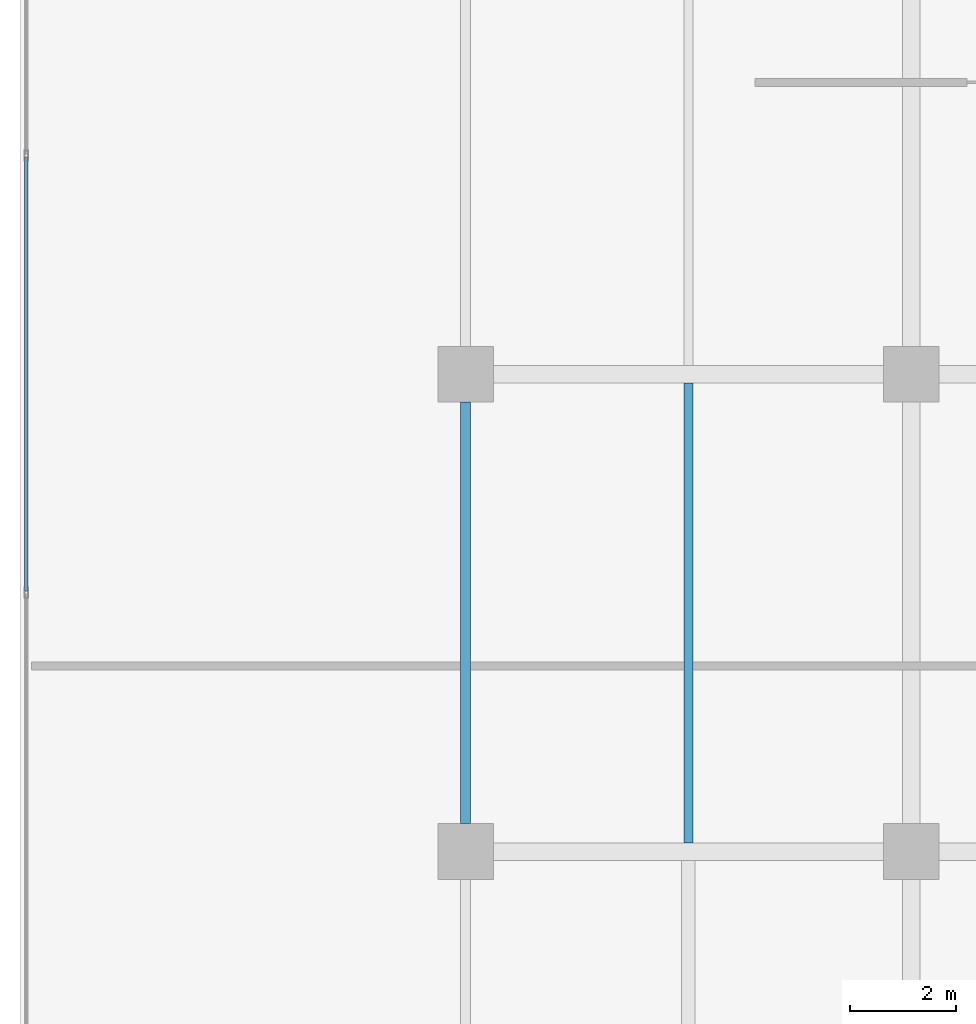
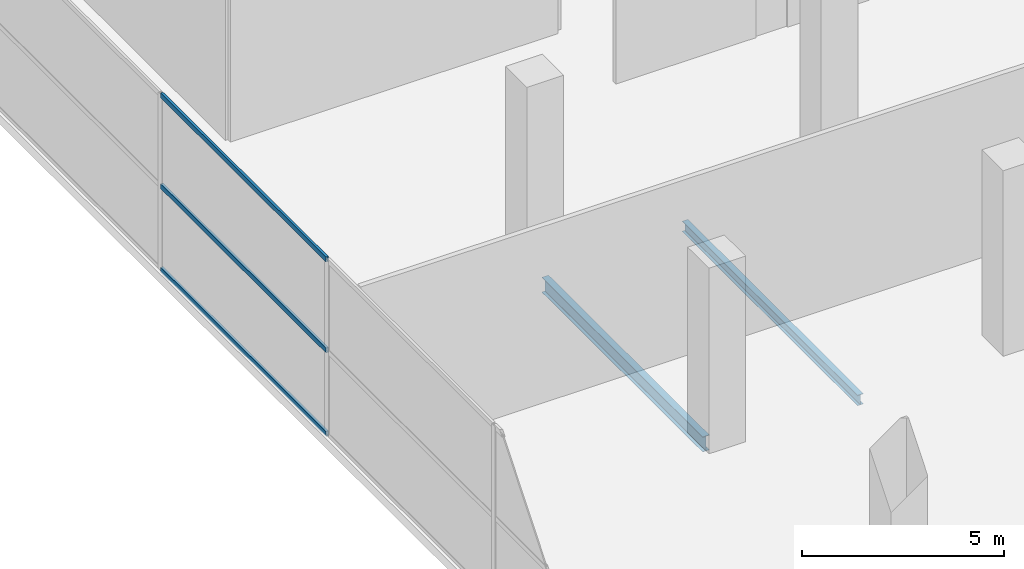
# One storey, part 10 of 40: 3 members, 2 beams, 1 element without a shape of its own.
"""IFC4 building model written with IfcOpenShell, lengths in metres."""

from ifc_helpers import new_model, si_unit, direction, frame, origin, origin_2d, place, context, subcontext, project, spatial, hollow_rectangle, i_section, extrude, material, layer, layer_set, material_profile, profile_set, type_object, element, aggregate, save


model = new_model("IFC4")

# Units and contexts
model_context = context("Model", 3, precision=1e-05, world=origin(), true_north=direction((0.0, 1.0)))
body_context = subcontext(model_context, "Body", "Model", "MODEL_VIEW")
ifc_project = project(units=[si_unit("LENGTHUNIT", "METRE"), si_unit("AREAUNIT", "SQUARE_METRE"), si_unit("VOLUMEUNIT", "CUBIC_METRE"), si_unit("PLANEANGLEUNIT", "RADIAN"), si_unit("MASSUNIT", "GRAM", prefix="KILO")], contexts=[model_context])

# Site, building, storey
site_placement = place(None, origin())
site = spatial("IfcSite", under=ifc_project, at=site_placement, CompositionType="ELEMENT")
building_placement = place(site_placement, origin())
building = spatial("IfcBuilding", under=site, at=building_placement, Name="Maruvema Waterfront Hotel and Observation Tower", CompositionType="ELEMENT")
storey_placement = place(building_placement, frame((0.0, 0.0, 10.85009765625)))
storey = spatial("IfcBuildingStorey", under=building, at=storey_placement, Name="L02", CompositionType="ELEMENT", Elevation=10.85009765625)

# Curtain wall, members
ifc_material_1 = material(Name="Anodised bronze aluminium and solar-control low-E IGU", Category="aluminium")
ifc_layer = layer(ifc_material_1, 0.159912109375, Name="Podium Waterfront Storefront Curtain Wall System CW-01")
ifc_layer_set = layer_set([ifc_layer], Name="Anodised bronze aluminium and solar-control low-E IGU")
curtain_wall_type = type_object("IfcCurtainWallType", Name="Podium Waterfront Storefront Curtain Wall System CW-01", PredefinedType="USERDEFINED", material=ifc_layer_set)
curtain_wall_placement = place(storey_placement, origin())
curtain_wall = element("IfcCurtainWall", 1, at=curtain_wall_placement, inside=storey, type_object=curtain_wall_type, Name="L02 Curtain Wall CW-L02-W", ObjectType="UNITISED CURTAIN WALL", PredefinedType="USERDEFINED")
ifc_material_2 = material(Name="Anodised architectural bronze aluminium", Category="aluminium")
ifc_material_profile_1 = material_profile(ifc_material_2, hollow_rectangle(XDim=0.070068359375, YDim=0.14990234375, WallThickness=0.00390625, at=origin_2d()), Name="ALU-T70x150")
ifc_profile_set_1 = profile_set([ifc_material_profile_1], Name="Anodised architectural bronze aluminium")
member_type = type_object("IfcMemberType", Name="Curtain Wall Horizontal Transom ALU-T70x150", PredefinedType="USERDEFINED", material=ifc_profile_set_1)
member_1_placement = place(storey_placement, frame((0.1201171875, 31.090087890625, 0.02978515625), z_axis=(0.0, -1.0, 0.0), x_axis=(1.0, 0.0, 0.0)))
member_1 = element("IfcMember", 2, at=member_1_placement, type_object=member_type, Name="CW-01 transom 3.1", ObjectType="TRANSOM", PredefinedType="USERDEFINED", context=body_context, shape_type="SweptSolid", body=[
    extrude(hollow_rectangle(XDim=0.070068359375, YDim=0.14990234375, WallThickness=0.00390625, at=origin_2d()), origin(), (0.0, 0.0, 1.0), 8.18017578125),
])
member_2_placement = place(storey_placement, frame((0.1201171875, 31.090087890625, 2.5498046875), z_axis=(0.0, -1.0, 0.0), x_axis=(1.0, 0.0, 0.0)))
member_2 = element("IfcMember", 3, at=member_2_placement, type_object=member_type, Name="CW-01 transom 3.2", ObjectType="TRANSOM", PredefinedType="USERDEFINED", context=body_context, shape_type="SweptSolid", body=[
    extrude(hollow_rectangle(XDim=0.070068359375, YDim=0.14990234375, WallThickness=0.00390625, at=origin_2d()), origin(), (0.0, 0.0, 1.0), 8.18017578125),
])
member_3_placement = place(storey_placement, frame((0.1201171875, 31.090087890625, 5.289794921875), z_axis=(0.0, -1.0, 0.0), x_axis=(1.0, 0.0, 0.0)))
member_3 = element("IfcMember", 4, at=member_3_placement, type_object=member_type, Name="CW-01 transom 3.3", ObjectType="TRANSOM", PredefinedType="USERDEFINED", context=body_context, shape_type="SweptSolid", body=[
    extrude(hollow_rectangle(XDim=0.070068359375, YDim=0.14990234375, WallThickness=0.00390625, at=origin_2d()), origin(), (0.0, 0.0, 1.0), 8.18017578125),
])
aggregate(curtain_wall, [member_1, member_2, member_3])

# Beams
ifc_material_3 = material(Name="Steel ASTM A572 Grade 50", Category="steel")
ifc_material_profile_2 = material_profile(ifc_material_3, i_section(OverallWidth=0.18994140625, OverallDepth=0.45703125, WebThickness=0.009033203125, FlangeThickness=0.014404296875, FilletRadius=0.014892578125, at=origin_2d()), Name="W460x74.0")
ifc_profile_set_2 = profile_set([ifc_material_profile_2], Name="Steel ASTM A572 Grade 50")
beam_type_1 = type_object("IfcBeamType", Name="Perimeter Spandrel Beam W460x74.0", PredefinedType="SPANDREL", material=ifc_profile_set_2)
beam_1_placement = place(storey_placement, frame((8.39990234375, 18.52490234375, -0.508544921875), z_axis=(0.0, 1.0, 0.0), x_axis=(-1.0, 0.0, 0.0)))
element("IfcBeam", 5, at=beam_1_placement, inside=storey, type_object=beam_type_1, Name="L02 Floor Girder NS-03", PredefinedType="SPANDREL", context=body_context, shape_type="SweptSolid", body=[
    extrude(i_section(OverallWidth=0.18994140625, OverallDepth=0.45703125, WebThickness=0.009033203125, FlangeThickness=0.014404296875, FilletRadius=0.014892578125, at=origin_2d()), origin(), (0.0, 0.0, 1.0), 7.9501953125),
])
ifc_material_4 = material(Name="Steel ASTM A572 Grade 50", Category="steel")
ifc_material_profile_3 = material_profile(ifc_material_4, i_section(OverallWidth=0.1669921875, OverallDepth=0.31689453125, WebThickness=0.007568359375, FlangeThickness=0.01318359375, FilletRadius=0.012939453125, at=origin_2d()), Name="W310x52.0")
ifc_profile_set_3 = profile_set([ifc_material_profile_3], Name="Steel ASTM A572 Grade 50")
beam_type_2 = type_object("IfcBeamType", Name="Secondary Floor Joist W310x52.0", PredefinedType="JOIST", material=ifc_profile_set_3)
beam_2_placement = place(storey_placement, frame((12.60009765625, 18.16455078125, -0.4384765625), z_axis=(0.0, 1.0, 0.0), x_axis=(-1.0, 0.0, 0.0)))
element("IfcBeam", 6, at=beam_2_placement, inside=storey, type_object=beam_type_2, Name="L02 Secondary Floor Joist JS-02", PredefinedType="JOIST", context=body_context, shape_type="SweptSolid", body=[
    extrude(i_section(OverallWidth=0.1669921875, OverallDepth=0.31689453125, WebThickness=0.007568359375, FlangeThickness=0.01318359375, FilletRadius=0.012939453125, at=origin_2d()), origin(), (0.0, 0.0, 1.0), 8.6708984375),
])

save(model, "model.ifc")
